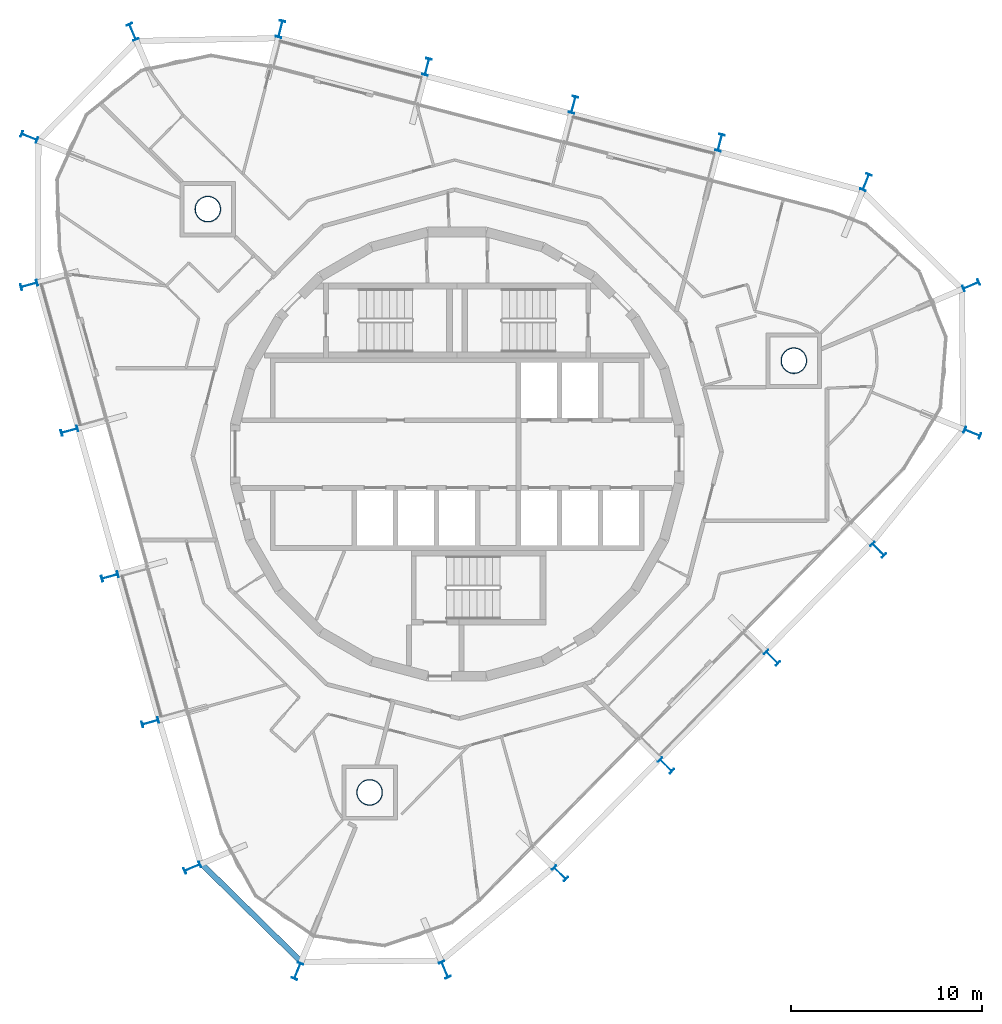
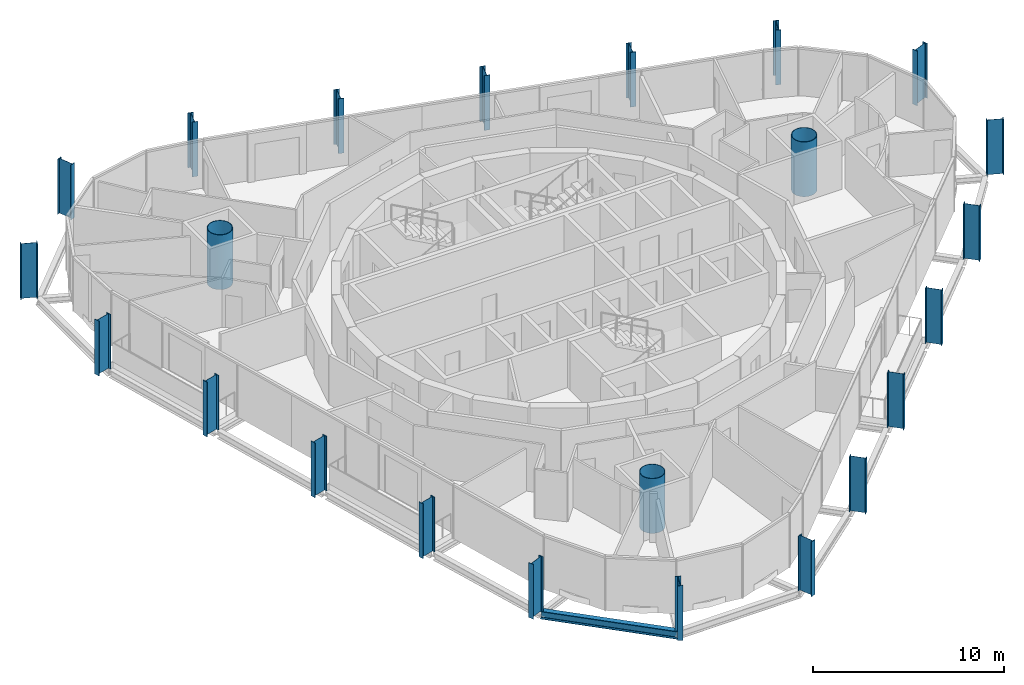
# One storey, part 1 of 15: 23 columns, 1 beam.
"""IFC4 building model written with IfcOpenShell, lengths in metres."""

from ifc_helpers import new_model, si_unit, direction, frame, origin, origin_2d, place, context, subcontext, project, spatial, hollow_circle, i_section, extrude, material, material_profile, profile_set, type_object, element, save


model = new_model("IFC4")

# Units and contexts
model_context = context("Model", 3, precision=1e-05, world=origin(), true_north=direction((0.0, 1.0)))
body_context = subcontext(model_context, "Body", "Model", "MODEL_VIEW")
ifc_project = project(units=[si_unit("LENGTHUNIT", "METRE"), si_unit("AREAUNIT", "SQUARE_METRE"), si_unit("VOLUMEUNIT", "CUBIC_METRE"), si_unit("PLANEANGLEUNIT", "RADIAN"), si_unit("MASSUNIT", "GRAM", prefix="KILO")], contexts=[model_context])

# Site, building, storey
site_placement = place(None, origin())
site = spatial("IfcSite", under=ifc_project, at=site_placement, CompositionType="ELEMENT")
building_placement = place(site_placement, origin())
building = spatial("IfcBuilding", under=site, at=building_placement, Name="Spindle Arch Residences", CompositionType="ELEMENT")
storey_placement = place(building_placement, frame((0.0, 0.0, 308.699951171875)))
storey = spatial("IfcBuildingStorey", under=building, at=storey_placement, Name="L79", CompositionType="ELEMENT", Elevation=308.699951171875)

# Columns
ifc_material_1 = material(Name="Steel S460ML, intumescent coating R 240", Category="steel")
ifc_material_profile_1 = material_profile(ifc_material_1, i_section(OverallWidth=0.300048828125, OverallDepth=0.89990234375, WebThickness=0.0185546875, FlangeThickness=0.034912109375, FilletRadius=0.030029296875, at=origin_2d()), Name="HEB 900")
ifc_profile_set_1 = profile_set([ifc_material_profile_1], Name="Steel S460ML, intumescent coating R 240")
column_type_1 = type_object("IfcColumnType", Name="Exoskeleton post HEB 900", PredefinedType="COLUMN", material=ifc_profile_set_1)
for number, where, z_axis, x_axis, name in (
    (1, (16.521484375, -10.6728515625, -0.3798828125), (0.0, 0.0, 1.0), (-0.70090935439, -0.713250360623, 0.0), "Exoskeleton post 1"),
    (2, (22.083251953125, -5.01318359375, -0.3798828125), (0.0, 0.0, 1.0), (-0.70090935439, -0.713250360623, 0.0), "Exoskeleton post 2"),
    (3, (27.0263671875, 1.11279296875, -0.3798828125), (0.0, 0.0, 1.0), (-0.374802818249, -0.927104550433, 0.0), "Exoskeleton post 3"),
    (4, (26.959716796875, 8.84521484375, -0.3798828125), (0.0, 0.0, 1.0), (0.390770126794, -0.920488298679, 0.0), "Exoskeleton post 4"),
    (5, (21.443359375, 14.263916015625, -0.3798828125), (0.0, 0.0, 1.0), (0.927294785217, -0.374331913293, 0.0), "Exoskeleton post 5"),
    (6, (13.7861328125, 16.3330078125, -0.3798828125), (0.0, 0.0, 1.0), (0.968147663906, -0.250379913079, 0.0), "Exoskeleton post 6"),
    (7, (6.10400390625, 18.31982421875, -0.3798828125), (0.0, 0.0, 1.0), (0.968147663906, -0.250379913079, 0.0), "Exoskeleton post 7"),
    (8, (-1.57861328125, 20.306640625, -0.3798828125), (0.0, 0.0, 1.0), (0.968147663906, -0.250379913079, 0.0), "Exoskeleton post 8"),
    (9, (-9.2607421875, 22.29345703125, -0.3798828125), (0.0, 0.0, 1.0), (0.968147663906, -0.250379913079, 0.0), "Exoskeleton post 9"),
    (10, (-17.0185546875, 22.144775390625, -0.3798828125), (0.0, 0.0, 1.0), (0.920554476886, 0.39061420236, 0.0), "Exoskeleton post 10"),
    (11, (-22.4384765625, 16.62939453125, -0.3798828125), (0.0, 0.0, 1.0), (0.374489123858, 0.927231306693, 0.0), "Exoskeleton post 11"),
    (12, (-22.45166015625, 8.870361328125, -0.3798828125), (0.0, 0.0, 1.0), (-0.267238143562, 0.963630517691, 0.0), "Exoskeleton post 12"),
    (13, (-20.3310546875, 1.223876953125, -0.3798828125), (0.0, 0.0, 1.0), (-0.267238143562, 0.963630517691, 0.0), "Exoskeleton post 13"),
    (14, (-18.210693359375, -6.422607421875, -0.3798828125), (0.0, 0.0, 1.0), (-0.267238143562, 0.963630517691, 0.0), "Exoskeleton post 14"),
    (15, (-16.090087890625, -14.069091796875, -0.3798828125), (0.0, 0.0, 1.0), (-0.267238143562, 0.963630517691, 0.0), "Exoskeleton post 15"),
    (16, (-13.887451171875, -21.68896484375, -0.3798828125), (0.0, 0.0, 1.0), (-0.390457907184, 0.920620781167, 0.0), "Exoskeleton post 16"),
    (17, (-8.373291015625, -27.10986328125, -0.3798828125), (0.0, 0.0, 1.0), (-0.9271679418, 0.374645976487, 0.0), "Exoskeleton post 17"),
    (18, (-0.640869140625, -27.041748046875, -0.3798828125), (0.0, 0.0, 1.0), (-0.920422094083, -0.390926039967, 0.0), "Exoskeleton post 18"),
    (19, (5.397705078125, -21.9921875, -0.3798828125), (0.0, 0.0, 1.0), (-0.70090935439, -0.713250360623, 0.0), "Exoskeleton post 19"),
    (20, (10.959716796875, -16.33251953125, -0.3798828125), (0.0, 0.0, 1.0), (-0.70090935439, -0.713250360623, 0.0), "Exoskeleton post 20"),
):
    element("IfcColumn", number, at=place(storey_placement, frame(where, z_axis=z_axis, x_axis=x_axis)), inside=storey, type_object=column_type_1, Name=name, PredefinedType="COLUMN", context=body_context, shape_type="SweptSolid", body=[
        extrude(i_section(OverallWidth=0.300048828125, OverallDepth=0.89990234375, WebThickness=0.0185546875, FlangeThickness=0.034912109375, FilletRadius=0.030029296875, at=origin_2d()), origin(), (0.0, 0.0, 1.0), 3.5),
    ])
ifc_material_2 = material(Name="Concrete C50/60 filled steel tube S460ML, intumescent coating R 240", Category="concrete")
ifc_material_profile_2 = material_profile(ifc_material_2, hollow_circle(Radius=0.675048828125, WallThickness=0.030029296875, at=origin_2d()), Name="CFT D1350x30")
ifc_profile_set_2 = profile_set([ifc_material_profile_2], Name="Concrete C50/60 filled steel tube S460ML, intumescent coating R 240")
column_type_2 = type_object("IfcColumnType", Name="Mega-column CFT D1350x30", PredefinedType="COLUMN", material=ifc_profile_set_2)
for number, where, z_axis, x_axis, name in (
    (21, (17.66259765625, 4.898193359375, -0.3798828125), (0.0, 0.0, 1.0), (1.0, 0.0, 0.0), "Mega-column 1"),
    (22, (-13.0732421875, 12.84716796875, -0.3798828125), (0.0, 0.0, 1.0), (1.0, 0.0, 0.0), "Mega-column 2"),
    (23, (-4.58935546875, -17.745361328125, -0.3798828125), (0.0, 0.0, 1.0), (1.0, 0.0, 0.0), "Mega-column 3"),
):
    element("IfcColumn", number, at=place(storey_placement, frame(where, z_axis=z_axis, x_axis=x_axis)), inside=storey, type_object=column_type_2, Name=name, PredefinedType="COLUMN", context=body_context, shape_type="SweptSolid", body=[
        extrude(hollow_circle(Radius=0.675048828125, WallThickness=0.030029296875, at=origin_2d()), origin(), (0.0, 0.0, 1.0), 3.5),
    ])

# Beam
ifc_material_3 = material(Name="Steel S460ML, intumescent coating R 120", Category="steel")
ifc_material_profile_3 = material_profile(ifc_material_3, i_section(OverallWidth=0.300048828125, OverallDepth=0.5, WebThickness=0.014404296875, FlangeThickness=0.028076171875, FilletRadius=0.027099609375, at=origin_2d()), Name="HEB 500")
ifc_profile_set_3 = profile_set([ifc_material_profile_3], Name="Steel S460ML, intumescent coating R 120")
beam_type = type_object("IfcBeamType", Name="Exoskeleton edge beam HEB 500", PredefinedType="BEAM", material=ifc_profile_set_3)
beam_placement = place(storey_placement, frame((-13.458251953125, -21.437744140625, -0.6298828125), z_axis=(0.713108879245, -0.701053297789, 0.0), x_axis=(0.701053297789, 0.713108879245, 0.0)))
element("IfcBeam", 24, at=beam_placement, inside=storey, type_object=beam_type, Name="Exoskeleton edge beam 16", PredefinedType="BEAM", context=body_context, shape_type="SweptSolid", body=[
    extrude(i_section(OverallWidth=0.300048828125, OverallDepth=0.5, WebThickness=0.014404296875, FlangeThickness=0.028076171875, FilletRadius=0.027099609375, at=origin_2d()), origin(), (0.0, 0.0, 1.0), 7.47265625),
])

save(model, "model.ifc")
